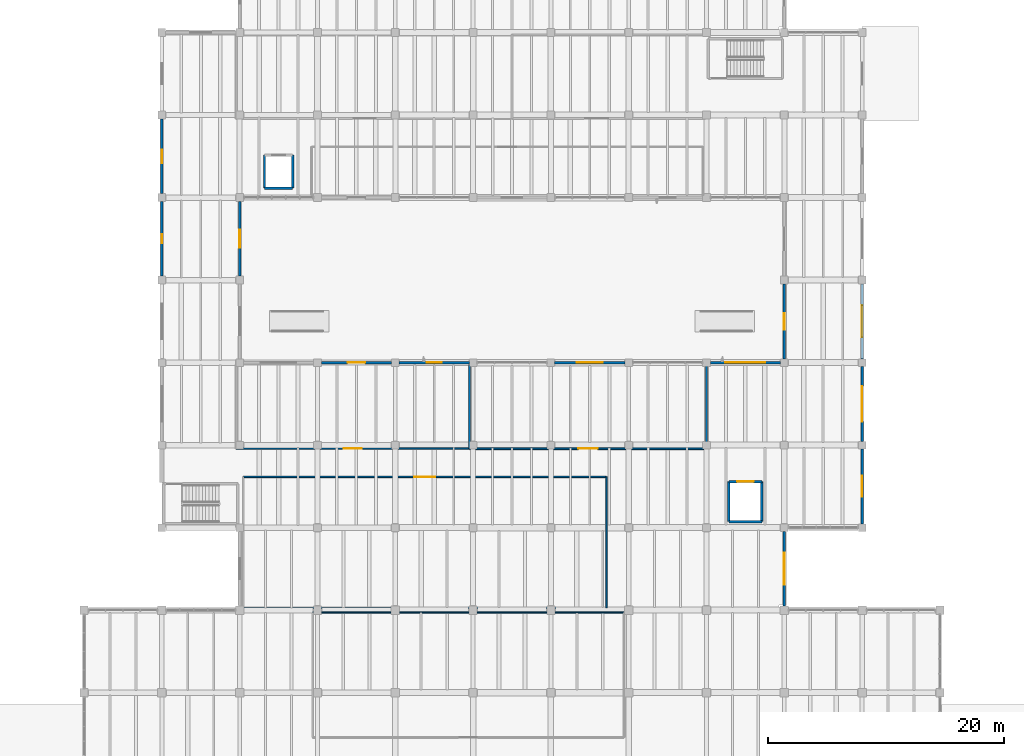
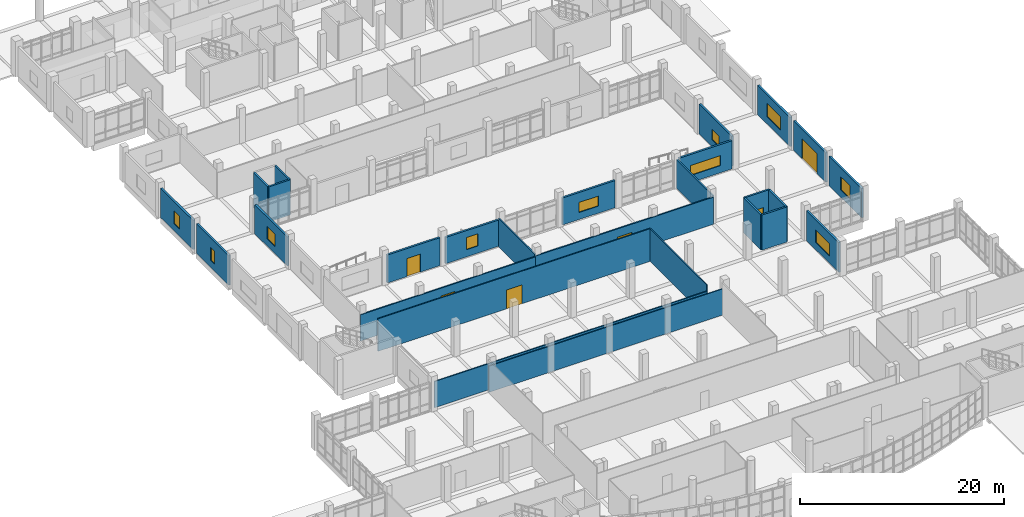
# One storey, part 47 of 69: 27 walls, 10 windows, 6 doors, 16 openings.
"""IFC4 building model written with IfcOpenShell, lengths in metres."""

from ifc_helpers import new_model, si_unit, direction, frame, frame_2d, origin, place, context, subcontext, project, spatial, rectangle, extrude, material, layer, layer_set, type_object, element, fill, save


model = new_model("IFC4")

# Units and contexts
model_context = context("Model", 3, precision=1e-05, world=origin(), true_north=direction((0.0, 1.0)))
body_context = subcontext(model_context, "Body", "Model", "MODEL_VIEW")
ifc_project = project(units=[si_unit("LENGTHUNIT", "METRE"), si_unit("AREAUNIT", "SQUARE_METRE"), si_unit("VOLUMEUNIT", "CUBIC_METRE"), si_unit("PLANEANGLEUNIT", "RADIAN"), si_unit("MASSUNIT", "GRAM", prefix="KILO")], contexts=[model_context])

# Site, building, storey
site_placement = place(None, origin())
site = spatial("IfcSite", under=ifc_project, at=site_placement, CompositionType="ELEMENT")
building_placement = place(site_placement, origin())
building = spatial("IfcBuilding", under=site, at=building_placement, Name="Ciguamira Faculty of Natural Sciences", CompositionType="ELEMENT")
storey_placement = place(building_placement, origin())
storey = spatial("IfcBuildingStorey", under=building, at=storey_placement, Name="L00", CompositionType="ELEMENT", Elevation=0.0)

# Wall, opening, door
ifc_material_1 = material(Name="Precast concrete C40/50", Category="concrete")
ifc_layer_1 = layer(ifc_material_1, 0.219970703125, Name="Precast concrete C40/50")
ifc_layer_set_1 = layer_set([ifc_layer_1], Name="Precast concrete C40/50")
wall_type_1 = type_object("IfcWallType", Name="ExtWall_EW-03_220", PredefinedType="SOLIDWALL", material=ifc_layer_set_1)
wall_1_placement = place(storey_placement, frame((70.824951171875, 59.0, 0.0), z_axis=(0.0, 0.0, 1.0), x_axis=(1.0, 0.0, 0.0)))
wall_1 = element("IfcWall", 1, at=wall_1_placement, inside=storey, type_object=wall_type_1, Name="L00 exterior wall 0091", PredefinedType="SOLIDWALL", context=body_context, shape_type="SweptSolid", body=[
    extrude(rectangle(XDim=5.949951171875, YDim=0.219970703125, at=frame_2d((2.97509765625, 0.0))), origin(), (0.0, 0.0, 1.0), 3.344970703125),
])
opening_1_placement = place(wall_1_placement, frame((2.22509765625, 0.0, 0.0)))
opening_1 = element("IfcOpeningElement", 2, at=opening_1_placement, cuts=wall_1, Name="Opening ED-09", PredefinedType="OPENING", context=body_context, shape_type="SweptSolid", body=[
    extrude(rectangle(XDim=1.5, YDim=2.14990234375, at=frame_2d((0.75, 1.074951171875))), frame((0.0, 0.119873046875, 0.0), z_axis=(0.0, -1.0, 0.0), x_axis=(1.0, 0.0, 0.0)), (0.0, 0.0, 1.0), 0.239990234375),
])
ifc_material_2 = material(Name="Court promenade entrance door")
door_type_1 = type_object("IfcDoorType", Name="ExtDoor_ED-09_1500x2150", OperationType="NOTDEFINED", PredefinedType="DOOR", material=ifc_material_2)
door_1_placement = place(opening_1_placement, origin())
door_1 = element("IfcDoor", 3, at=door_1_placement, inside=storey, type_object=door_type_1, Name="Karst Court South Concourse Exit ED-10", OperationType="DOUBLE_DOOR_SINGLE_SWING", OverallHeight=2.14990234375, OverallWidth=1.5, PredefinedType="DOOR", context=body_context, shape_type="SweptSolid", body=[
    extrude(rectangle(XDim=1.5, YDim=2.14990234375, at=frame_2d((0.75, 1.074951171875))), frame((0.0, 0.02490234375, 0.0), z_axis=(0.0, -1.0, 0.0), x_axis=(1.0, 0.0, 0.0)), (0.0, 0.0, 1.0), 0.050048828125),
])
fill(opening_1, door_1)

# Wall, opening, window
wall_2_placement = place(storey_placement, frame((77.425048828125, 59.0, 0.0), z_axis=(0.0, 0.0, 1.0), x_axis=(1.0, 0.0, 0.0)))
wall_2 = element("IfcWall", 4, at=wall_2_placement, inside=storey, type_object=wall_type_1, Name="L00 exterior wall 0092", PredefinedType="SOLIDWALL", context=body_context, shape_type="SweptSolid", body=[
    extrude(rectangle(XDim=5.949951171875, YDim=0.219970703125, at=frame_2d((2.97509765625, 0.0))), origin(), (0.0, 0.0, 1.0), 3.135009765625),
])
opening_2_placement = place(wall_2_placement, frame((2.324951171875, 0.0, 0.85009765625)))
opening_2 = element("IfcOpeningElement", 5, at=opening_2_placement, cuts=wall_2, Name="Opening WT-28", PredefinedType="OPENING", context=body_context, shape_type="SweptSolid", body=[
    extrude(rectangle(XDim=1.300048828125, YDim=1.449951171875, at=frame_2d((0.64990234375, 0.72509765625))), frame((0.0, 0.119873046875, 0.0), z_axis=(0.0, -1.0, 0.0), x_axis=(1.0, 0.0, 0.0)), (0.0, 0.0, 1.0), 0.239990234375),
])
ifc_material_3 = material(Name="Hurricane laminated solar glass", Category="glass")
window_type_1 = type_object("IfcWindowType", Name="Window_WT-28_1300x1450", PartitioningType="DOUBLE_PANEL_VERTICAL", PredefinedType="WINDOW", material=ifc_material_3)
window_1_placement = place(opening_2_placement, origin())
window_1 = element("IfcWindow", 6, at=window_1_placement, inside=storey, type_object=window_type_1, Name="L00 facade window 0018", OverallHeight=1.449951171875, OverallWidth=1.300048828125, PartitioningType="SINGLE_PANEL", PredefinedType="WINDOW", context=body_context, shape_type="SweptSolid", body=[
    extrude(rectangle(XDim=1.300048828125, YDim=1.449951171875, at=frame_2d((0.64990234375, 0.72509765625))), frame((0.0, 0.030029296875, 0.0), z_axis=(0.0, -1.0, 0.0), x_axis=(1.0, 0.0, 0.0)), (0.0, 0.0, 1.0), 0.06005859375),
])
fill(opening_2, window_1)

wall_3_placement = place(storey_placement, frame((90.625, 59.0, 0.0), z_axis=(0.0, 0.0, 1.0), x_axis=(1.0, 0.0, 0.0)))
wall_3 = element("IfcWall", 7, at=wall_3_placement, inside=storey, type_object=wall_type_1, Name="L00 exterior wall 0093", PredefinedType="SOLIDWALL", context=body_context, shape_type="SweptSolid", body=[
    extrude(rectangle(XDim=5.949951171875, YDim=0.219970703125, at=frame_2d((2.97509765625, 0.0))), origin(), (0.0, 0.0, 1.0), 3.235107421875),
])
opening_3_placement = place(wall_3_placement, frame((1.875, 0.0, 0.85009765625)))
opening_3 = element("IfcOpeningElement", 8, at=opening_3_placement, cuts=wall_3, Name="Opening WT-31", PredefinedType="OPENING", context=body_context, shape_type="SweptSolid", body=[
    extrude(rectangle(XDim=2.199951171875, YDim=1.199951171875, at=frame_2d((1.10009765625, 0.60009765625))), frame((0.0, 0.119873046875, 0.0), z_axis=(0.0, -1.0, 0.0), x_axis=(1.0, 0.0, 0.0)), (0.0, 0.0, 1.0), 0.239990234375),
])
window_type_2 = type_object("IfcWindowType", Name="Window_WT-31_2200x1200", PartitioningType="DOUBLE_PANEL_VERTICAL", PredefinedType="WINDOW", material=ifc_material_3)
window_2_placement = place(opening_3_placement, origin())
window_2 = element("IfcWindow", 9, at=window_2_placement, inside=storey, type_object=window_type_2, Name="L00 facade window 0019", OverallHeight=1.199951171875, OverallWidth=2.199951171875, PartitioningType="SINGLE_PANEL", PredefinedType="WINDOW", context=body_context, shape_type="SweptSolid", body=[
    extrude(rectangle(XDim=2.199951171875, YDim=1.199951171875, at=frame_2d((1.10009765625, 0.60009765625))), frame((0.0, 0.030029296875, 0.0), z_axis=(0.0, -1.0, 0.0), x_axis=(1.0, 0.0, 0.0)), (0.0, 0.0, 1.0), 0.06005859375),
])
fill(opening_3, window_2)

wall_4_placement = place(storey_placement, frame((103.824951171875, 59.0, 0.0), z_axis=(0.0, 0.0, 1.0), x_axis=(1.0, 0.0, 0.0)))
wall_4 = element("IfcWall", 10, at=wall_4_placement, inside=storey, type_object=wall_type_1, Name="L00 exterior wall 0094", PredefinedType="SOLIDWALL", context=body_context, shape_type="SweptSolid", body=[
    extrude(rectangle(XDim=5.949951171875, YDim=0.219970703125, at=frame_2d((2.97509765625, 0.0))), origin(), (0.0, 0.0, 1.0), 3.364990234375),
])
opening_4_placement = place(wall_4_placement, frame((1.27490234375, 0.0, 0.85009765625)))
opening_4 = element("IfcOpeningElement", 11, at=opening_4_placement, cuts=wall_4, Name="Opening WT-34", PredefinedType="OPENING", context=body_context, shape_type="SweptSolid", body=[
    extrude(rectangle(XDim=3.39990234375, YDim=1.199951171875, at=frame_2d((1.699951171875, 0.60009765625))), frame((0.0, 0.119873046875, 0.0), z_axis=(0.0, -1.0, 0.0), x_axis=(1.0, 0.0, 0.0)), (0.0, 0.0, 1.0), 0.239990234375),
])
window_type_3 = type_object("IfcWindowType", Name="Window_WT-34_3400x1200", PartitioningType="DOUBLE_PANEL_VERTICAL", PredefinedType="WINDOW", material=ifc_material_3)
window_3_placement = place(opening_4_placement, origin())
window_3 = element("IfcWindow", 12, at=window_3_placement, inside=storey, type_object=window_type_3, Name="L00 facade window 0020", OverallHeight=1.199951171875, OverallWidth=3.39990234375, PartitioningType="SINGLE_PANEL", PredefinedType="WINDOW", context=body_context, shape_type="SweptSolid", body=[
    extrude(rectangle(XDim=3.39990234375, YDim=1.199951171875, at=frame_2d((1.699951171875, 0.60009765625))), frame((0.0, 0.030029296875, 0.0), z_axis=(0.0, -1.0, 0.0), x_axis=(1.0, 0.0, 0.0)), (0.0, 0.0, 1.0), 0.06005859375),
])
fill(opening_4, window_3)

wall_5_placement = place(storey_placement, frame((57.300048828125, 66.324951171875, 0.0), z_axis=(0.0, 0.0, 1.0), x_axis=(0.0, 1.0, 0.0)))
wall_5 = element("IfcWall", 13, at=wall_5_placement, inside=storey, type_object=wall_type_1, Name="L00 exterior wall 0112", PredefinedType="SOLIDWALL", context=body_context, shape_type="SweptSolid", body=[
    extrude(rectangle(XDim=6.35009765625, YDim=0.219970703125, at=frame_2d((3.175048828125, 0.0))), origin(), (0.0, 0.0, 1.0), 3.5048828125),
])
opening_5_placement = place(wall_5_placement, frame((2.800048828125, 0.0, 0.85009765625)))
opening_5 = element("IfcOpeningElement", 14, at=opening_5_placement, cuts=wall_5, Name="Opening WT-35", PredefinedType="OPENING", context=body_context, shape_type="SweptSolid", body=[
    extrude(rectangle(XDim=0.75, YDim=1.550048828125, at=frame_2d((0.375, 0.77490234375))), frame((0.0, 0.119873046875, 0.0), z_axis=(0.0, -1.0, 0.0), x_axis=(1.0, 0.0, 0.0)), (0.0, 0.0, 1.0), 0.239990234375),
])
window_type_4 = type_object("IfcWindowType", Name="Window_WT-35_750x1550", PartitioningType="DOUBLE_PANEL_VERTICAL", PredefinedType="WINDOW", material=ifc_material_3)
window_4_placement = place(opening_5_placement, origin())
window_4 = element("IfcWindow", 15, at=window_4_placement, inside=storey, type_object=window_type_4, Name="L00 facade window 0031", OverallHeight=1.550048828125, OverallWidth=0.75, PartitioningType="SINGLE_PANEL", PredefinedType="WINDOW", context=body_context, shape_type="SweptSolid", body=[
    extrude(rectangle(XDim=0.75, YDim=1.550048828125, at=frame_2d((0.375, 0.77490234375))), frame((0.0, 0.030029296875, 0.0), z_axis=(0.0, -1.0, 0.0), x_axis=(1.0, 0.0, 0.0)), (0.0, 0.0, 1.0), 0.06005859375),
])
fill(opening_5, window_4)

wall_6_placement = place(storey_placement, frame((57.300048828125, 73.324951171875, 0.0), z_axis=(0.0, 0.0, 1.0), x_axis=(0.0, 1.0, 0.0)))
wall_6 = element("IfcWall", 16, at=wall_6_placement, inside=storey, type_object=wall_type_1, Name="L00 exterior wall 0113", PredefinedType="SOLIDWALL", context=body_context, shape_type="SweptSolid", body=[
    extrude(rectangle(XDim=6.35009765625, YDim=0.219970703125, at=frame_2d((3.175048828125, 0.0))), origin(), (0.0, 0.0, 1.0), 3.5048828125),
])
opening_6_placement = place(wall_6_placement, frame((2.60009765625, 0.0, 0.85009765625)))
opening_6 = element("IfcOpeningElement", 17, at=opening_6_placement, cuts=wall_6, Name="Opening WT-37", PredefinedType="OPENING", context=body_context, shape_type="SweptSolid", body=[
    extrude(rectangle(XDim=1.14990234375, YDim=1.550048828125, at=frame_2d((0.574951171875, 0.77490234375))), frame((0.0, 0.119873046875, 0.0), z_axis=(0.0, -1.0, 0.0), x_axis=(1.0, 0.0, 0.0)), (0.0, 0.0, 1.0), 0.239990234375),
])
window_type_5 = type_object("IfcWindowType", Name="Window_WT-37_1150x1550", PartitioningType="DOUBLE_PANEL_VERTICAL", PredefinedType="WINDOW", material=ifc_material_3)
window_5_placement = place(opening_6_placement, origin())
window_5 = element("IfcWindow", 18, at=window_5_placement, inside=storey, type_object=window_type_5, Name="L00 facade window 0032", OverallHeight=1.550048828125, OverallWidth=1.14990234375, PartitioningType="SINGLE_PANEL", PredefinedType="WINDOW", context=body_context, shape_type="SweptSolid", body=[
    extrude(rectangle(XDim=1.14990234375, YDim=1.550048828125, at=frame_2d((0.574951171875, 0.77490234375))), frame((0.0, 0.030029296875, 0.0), z_axis=(0.0, -1.0, 0.0), x_axis=(1.0, 0.0, 0.0)), (0.0, 0.0, 1.0), 0.06005859375),
])
fill(opening_6, window_5)

wall_7_placement = place(storey_placement, frame((63.89990234375, 66.324951171875, 0.0), z_axis=(0.0, 0.0, 1.0), x_axis=(0.0, 1.0, 0.0)))
wall_7 = element("IfcWall", 19, at=wall_7_placement, inside=storey, type_object=wall_type_1, Name="L00 exterior wall 0119", PredefinedType="SOLIDWALL", context=body_context, shape_type="SweptSolid", body=[
    extrude(rectangle(XDim=6.35009765625, YDim=0.219970703125, at=frame_2d((3.175048828125, 0.0))), origin(), (0.0, 0.0, 1.0), 3.465087890625),
])
opening_7_placement = place(wall_7_placement, frame((2.425048828125, 0.0, 0.85009765625)))
opening_7 = element("IfcOpeningElement", 20, at=opening_7_placement, cuts=wall_7, Name="Opening WT-09", PredefinedType="OPENING", context=body_context, shape_type="SweptSolid", body=[
    extrude(rectangle(XDim=1.5, YDim=1.5, at=frame_2d((0.75, 0.75))), frame((0.0, 0.119873046875, 0.0), z_axis=(0.0, -1.0, 0.0), x_axis=(1.0, 0.0, 0.0)), (0.0, 0.0, 1.0), 0.239990234375),
])
window_type_6 = type_object("IfcWindowType", Name="Window_WT-09_1500x1500", PartitioningType="DOUBLE_PANEL_VERTICAL", PredefinedType="WINDOW", material=ifc_material_3)
window_6_placement = place(opening_7_placement, origin())
window_6 = element("IfcWindow", 21, at=window_6_placement, inside=storey, type_object=window_type_6, Name="L00 facade window 0038", OverallHeight=1.5, OverallWidth=1.5, PartitioningType="SINGLE_PANEL", PredefinedType="WINDOW", context=body_context, shape_type="SweptSolid", body=[
    extrude(rectangle(XDim=1.5, YDim=1.5, at=frame_2d((0.75, 0.75))), frame((0.0, 0.030029296875, 0.0), z_axis=(0.0, -1.0, 0.0), x_axis=(1.0, 0.0, 0.0)), (0.0, 0.0, 1.0), 0.06005859375),
])
fill(opening_7, window_6)

wall_8_placement = place(storey_placement, frame((110.10009765625, 38.35009765625, 0.0), z_axis=(0.0, 0.0, 1.0), x_axis=(0.0, 1.0, 0.0)))
wall_8 = element("IfcWall", 22, at=wall_8_placement, inside=storey, type_object=wall_type_1, Name="L00 exterior wall 0121", PredefinedType="SOLIDWALL", context=body_context, shape_type="SweptSolid", body=[
    extrude(rectangle(XDim=6.324951171875, YDim=0.219970703125, at=frame_2d((3.16259765625, 0.0))), origin(), (0.0, 0.0, 1.0), 3.56494140625),
])
opening_8_placement = place(wall_8_placement, frame((1.8125, 0.0, 0.85009765625)))
opening_8 = element("IfcOpeningElement", 23, at=opening_8_placement, cuts=wall_8, Name="Opening WT-13", PredefinedType="OPENING", context=body_context, shape_type="SweptSolid", body=[
    extrude(rectangle(XDim=2.699951171875, YDim=1.5, at=frame_2d((1.35009765625, 0.75))), frame((0.0, 0.119873046875, 0.0), z_axis=(0.0, -1.0, 0.0), x_axis=(1.0, 0.0, 0.0)), (0.0, 0.0, 1.0), 0.239990234375),
])
window_type_7 = type_object("IfcWindowType", Name="Window_WT-13_2700x1500", PartitioningType="DOUBLE_PANEL_VERTICAL", PredefinedType="WINDOW", material=ifc_material_3)
window_7_placement = place(opening_8_placement, origin())
window_7 = element("IfcWindow", 24, at=window_7_placement, inside=storey, type_object=window_type_7, Name="L00 facade window 0040", OverallHeight=1.5, OverallWidth=2.699951171875, PartitioningType="SINGLE_PANEL", PredefinedType="WINDOW", context=body_context, shape_type="SweptSolid", body=[
    extrude(rectangle(XDim=2.699951171875, YDim=1.5, at=frame_2d((1.35009765625, 0.75))), frame((0.0, 0.030029296875, 0.0), z_axis=(0.0, -1.0, 0.0), x_axis=(1.0, 0.0, 0.0)), (0.0, 0.0, 1.0), 0.06005859375),
])
fill(opening_8, window_7)

wall_9_placement = place(storey_placement, frame((110.10009765625, 59.324951171875, 0.0), z_axis=(0.0, 0.0, 1.0), x_axis=(0.0, 1.0, 0.0)))
wall_9 = element("IfcWall", 25, at=wall_9_placement, inside=storey, type_object=wall_type_1, Name="L00 exterior wall 0122", PredefinedType="SOLIDWALL", context=body_context, shape_type="SweptSolid", body=[
    extrude(rectangle(XDim=6.35009765625, YDim=0.219970703125, at=frame_2d((3.175048828125, 0.0))), origin(), (0.0, 0.0, 1.0), 3.56494140625),
])
opening_9_placement = place(wall_9_placement, frame((2.47509765625, 0.0, 0.85009765625)))
opening_9 = element("IfcOpeningElement", 26, at=opening_9_placement, cuts=wall_9, Name="Opening WT-15", PredefinedType="OPENING", context=body_context, shape_type="SweptSolid", body=[
    extrude(rectangle(XDim=1.39990234375, YDim=1.25, at=frame_2d((0.699951171875, 0.625))), frame((0.0, 0.119873046875, 0.0), z_axis=(0.0, -1.0, 0.0), x_axis=(1.0, 0.0, 0.0)), (0.0, 0.0, 1.0), 0.239990234375),
])
window_type_8 = type_object("IfcWindowType", Name="Window_WT-15_1400x1250", PartitioningType="DOUBLE_PANEL_VERTICAL", PredefinedType="WINDOW", material=ifc_material_3)
window_8_placement = place(opening_9_placement, origin())
window_8 = element("IfcWindow", 27, at=window_8_placement, inside=storey, type_object=window_type_8, Name="L00 facade window 0041", OverallHeight=1.25, OverallWidth=1.39990234375, PartitioningType="SINGLE_PANEL", PredefinedType="WINDOW", context=body_context, shape_type="SweptSolid", body=[
    extrude(rectangle(XDim=1.39990234375, YDim=1.25, at=frame_2d((0.699951171875, 0.625))), frame((0.0, 0.030029296875, 0.0), z_axis=(0.0, -1.0, 0.0), x_axis=(1.0, 0.0, 0.0)), (0.0, 0.0, 1.0), 0.06005859375),
])
fill(opening_9, window_8)

wall_10_placement = place(storey_placement, frame((116.699951171875, 45.324951171875, 0.0), z_axis=(0.0, 0.0, 1.0), x_axis=(0.0, 1.0, 0.0)))
wall_10 = element("IfcWall", 28, at=wall_10_placement, inside=storey, type_object=wall_type_1, Name="L00 exterior wall 0125", PredefinedType="SOLIDWALL", context=body_context, shape_type="SweptSolid", body=[
    extrude(rectangle(XDim=6.35009765625, YDim=0.219970703125, at=frame_2d((3.175048828125, 0.0))), origin(), (0.0, 0.0, 1.0), 3.5048828125),
])
opening_10_placement = place(wall_10_placement, frame((2.27490234375, 0.0, 0.85009765625)))
opening_10 = element("IfcOpeningElement", 29, at=opening_10_placement, cuts=wall_10, Name="Opening WT-21", PredefinedType="OPENING", context=body_context, shape_type="SweptSolid", body=[
    extrude(rectangle(XDim=1.800048828125, YDim=1.60009765625, at=frame_2d((0.89990234375, 0.800048828125))), frame((0.0, 0.119873046875, 0.0), z_axis=(0.0, -1.0, 0.0), x_axis=(1.0, 0.0, 0.0)), (0.0, 0.0, 1.0), 0.239990234375),
])
window_type_9 = type_object("IfcWindowType", Name="Window_WT-21_1800x1600", PartitioningType="DOUBLE_PANEL_VERTICAL", PredefinedType="WINDOW", material=ifc_material_3)
window_9_placement = place(opening_10_placement, origin())
window_9 = element("IfcWindow", 30, at=window_9_placement, inside=storey, type_object=window_type_9, Name="L00 facade window 0044", OverallHeight=1.60009765625, OverallWidth=1.800048828125, PartitioningType="SINGLE_PANEL", PredefinedType="WINDOW", context=body_context, shape_type="SweptSolid", body=[
    extrude(rectangle(XDim=1.800048828125, YDim=1.60009765625, at=frame_2d((0.89990234375, 0.800048828125))), frame((0.0, 0.030029296875, 0.0), z_axis=(0.0, -1.0, 0.0), x_axis=(1.0, 0.0, 0.0)), (0.0, 0.0, 1.0), 0.06005859375),
])
fill(opening_10, window_9)

# Wall, opening, door
wall_11_placement = place(storey_placement, frame((116.699951171875, 52.324951171875, 0.0), z_axis=(0.0, 0.0, 1.0), x_axis=(0.0, 1.0, 0.0)))
wall_11 = element("IfcWall", 31, at=wall_11_placement, inside=storey, type_object=wall_type_1, Name="L00 exterior wall 0126", PredefinedType="SOLIDWALL", context=body_context, shape_type="SweptSolid", body=[
    extrude(rectangle(XDim=6.35009765625, YDim=0.219970703125, at=frame_2d((3.175048828125, 0.0))), origin(), (0.0, 0.0, 1.0), 3.5048828125),
])
opening_11_placement = place(wall_11_placement, frame((1.675048828125, 0.0, 0.0)))
opening_11 = element("IfcOpeningElement", 32, at=opening_11_placement, cuts=wall_11, Name="Opening GD-01", PredefinedType="OPENING", context=body_context, shape_type="SweptSolid", body=[
    extrude(rectangle(XDim=3.0, YDim=2.39990234375, at=frame_2d((1.5, 1.199951171875))), frame((0.0, 0.119873046875, 0.0), z_axis=(0.0, -1.0, 0.0), x_axis=(1.0, 0.0, 0.0)), (0.0, 0.0, 1.0), 0.239990234375),
])
ifc_material_4 = material(Name="Galvanized steel service bay gate", Category="steel")
door_type_2 = type_object("IfcDoorType", Name="ExtDoor_GD-01_3000x2400", OperationType="NOTDEFINED", PredefinedType="GATE", material=ifc_material_4)
door_2_placement = place(opening_11_placement, frame((3.0, 0.0, 0.0), z_axis=(0.0, 0.0, 1.0), x_axis=(-1.0, 0.0, 0.0)))
door_2 = element("IfcDoor", 33, at=door_2_placement, inside=storey, type_object=door_type_2, Name="Marine Specimen Delivery Gate GD-05", OperationType="DOUBLE_DOOR_SINGLE_SWING", OverallHeight=2.39990234375, OverallWidth=3.0, PredefinedType="GATE", context=body_context, shape_type="SweptSolid", body=[
    extrude(rectangle(XDim=3.0, YDim=2.39990234375, at=frame_2d((1.5, 1.199951171875))), frame((0.0, 0.02490234375, 0.0), z_axis=(0.0, -1.0, 0.0), x_axis=(1.0, 0.0, 0.0)), (0.0, 0.0, 1.0), 0.050048828125),
])
fill(opening_11, door_2)

# Wall, opening, window
wall_12_placement = place(storey_placement, frame((116.699951171875, 59.324951171875, 0.0), z_axis=(0.0, 0.0, 1.0), x_axis=(0.0, 1.0, 0.0)))
wall_12 = element("IfcWall", 34, at=wall_12_placement, inside=storey, type_object=wall_type_1, Name="L00 exterior wall 0127", PredefinedType="SOLIDWALL", context=body_context, shape_type="SweptSolid", body=[
    extrude(rectangle(XDim=6.35009765625, YDim=0.219970703125, at=frame_2d((3.175048828125, 0.0))), origin(), (0.0, 0.0, 1.0), 3.5048828125),
])
opening_12_placement = place(wall_12_placement, frame((1.824951171875, 0.0, 0.85009765625)))
opening_12 = element("IfcOpeningElement", 35, at=opening_12_placement, cuts=wall_12, Name="Opening WT-24", PredefinedType="OPENING", context=body_context, shape_type="SweptSolid", body=[
    extrude(rectangle(XDim=2.699951171875, YDim=1.60009765625, at=frame_2d((1.35009765625, 0.800048828125))), frame((0.0, 0.119873046875, 0.0), z_axis=(0.0, -1.0, 0.0), x_axis=(1.0, 0.0, 0.0)), (0.0, 0.0, 1.0), 0.239990234375),
])
window_type_10 = type_object("IfcWindowType", Name="Window_WT-24_2700x1600", PartitioningType="DOUBLE_PANEL_VERTICAL", PredefinedType="WINDOW", material=ifc_material_3)
window_10_placement = place(opening_12_placement, origin())
window_10 = element("IfcWindow", 36, at=window_10_placement, inside=storey, type_object=window_type_10, Name="L00 facade window 0045", OverallHeight=1.60009765625, OverallWidth=2.699951171875, PartitioningType="SINGLE_PANEL", PredefinedType="WINDOW", context=body_context, shape_type="SweptSolid", body=[
    extrude(rectangle(XDim=2.699951171875, YDim=1.60009765625, at=frame_2d((1.35009765625, 0.800048828125))), frame((0.0, 0.030029296875, 0.0), z_axis=(0.0, -1.0, 0.0), x_axis=(1.0, 0.0, 0.0)), (0.0, 0.0, 1.0), 0.06005859375),
])
fill(opening_12, window_10)

# Walls
ifc_material_5 = material(Name="Concrete C40/50", Category="concrete")
ifc_layer_2 = layer(ifc_material_5, 0.199951171875, Name="Concrete C40/50")
ifc_layer_set_2 = layer_set([ifc_layer_2], Name="Concrete C40/50")
wall_type_2 = type_object("IfcWallType", Name="IntWall_CW-S20_200", PredefinedType="SHEAR", material=ifc_layer_set_2)
wall_13_placement = place(storey_placement, frame((66.0, 73.800048828125, 0.0), z_axis=(0.0, 0.0, 1.0), x_axis=(1.0, 0.0, 0.0)))
element("IfcWall", 37, at=wall_13_placement, inside=storey, type_object=wall_type_2, Name="L00 EL-P4 hoistway wall south", PredefinedType="SHEAR", context=body_context, shape_type="SweptSolid", body=[
    extrude(rectangle(XDim=2.39990234375, YDim=0.199951171875, at=frame_2d((1.199951171875, 0.0))), origin(), (0.0, 0.0, 1.0), 4.199951171875),
])
for number, where, z_axis, x_axis, name in (
    (38, (66.0, 73.800048828125, 0.0), (0.0, 0.0, 1.0), (0.0, 1.0, 0.0), "L00 EL-P4 hoistway wall west"),
    (39, (68.39990234375, 73.800048828125, 0.0), (0.0, 0.0, 1.0), (0.0, 1.0, 0.0), "L00 EL-P4 hoistway wall east"),
    (40, (105.39990234375, 45.5, 0.0), (0.0, 0.0, 1.0), (1.0, 0.0, 0.0), "L00 EL-G1 hoistway wall south"),
):
    element("IfcWall", number, at=place(storey_placement, frame(where, z_axis=z_axis, x_axis=x_axis)), inside=storey, type_object=wall_type_2, Name=name, PredefinedType="SHEAR", context=body_context, shape_type="SweptSolid", body=[
        extrude(rectangle(XDim=2.800048828125, YDim=0.199951171875, at=frame_2d((1.39990234375, 0.0))), origin(), (0.0, 0.0, 1.0), 4.199951171875),
    ])

# Wall, opening, door
wall_14_placement = place(storey_placement, frame((105.39990234375, 48.89990234375, 0.0), z_axis=(0.0, 0.0, 1.0), x_axis=(1.0, 0.0, 0.0)))
wall_14 = element("IfcWall", 41, at=wall_14_placement, inside=storey, type_object=wall_type_2, Name="L00 EL-G1 hoistway wall north", PredefinedType="SHEAR", context=body_context, shape_type="SweptSolid", body=[
    extrude(rectangle(XDim=2.800048828125, YDim=0.199951171875, at=frame_2d((1.39990234375, 0.0))), origin(), (0.0, 0.0, 1.0), 4.199951171875),
])
opening_13_placement = place(wall_14_placement, frame((0.699951171875, 0.0, 0.0)))
opening_13 = element("IfcOpeningElement", 42, at=opening_13_placement, cuts=wall_14, Name="Opening LD-04", PredefinedType="OPENING", context=body_context, shape_type="SweptSolid", body=[
    extrude(rectangle(XDim=1.39990234375, YDim=2.300048828125, at=frame_2d((0.699951171875, 1.14990234375))), frame((0.0, 0.10986328125, 0.0), z_axis=(0.0, -1.0, 0.0), x_axis=(1.0, 0.0, 0.0)), (0.0, 0.0, 1.0), 0.219970703125),
])
ifc_material_6 = material(Name="Specimen service lift sliding landing door")
door_type_3 = type_object("IfcDoorType", Name="LiftLandingDoor_LD-04_1400x2300", OperationType="SLIDING_TO_LEFT", PredefinedType="DOOR", material=ifc_material_6)
door_3_placement = place(opening_13_placement, origin())
door_3 = element("IfcDoor", 43, at=door_3_placement, inside=storey, type_object=door_type_3, Name="L00 EL-G1 elevator landing sliding door", OperationType="SLIDING_TO_LEFT", OverallHeight=2.300048828125, OverallWidth=1.39990234375, PredefinedType="DOOR", context=body_context, shape_type="SweptSolid", body=[
    extrude(rectangle(XDim=1.39990234375, YDim=2.300048828125, at=frame_2d((0.699951171875, 1.14990234375))), frame((0.0, 0.02490234375, 0.0), z_axis=(0.0, -1.0, 0.0), x_axis=(1.0, 0.0, 0.0)), (0.0, 0.0, 1.0), 0.050048828125),
])
fill(opening_13, door_3)

# Walls
for number, where, z_axis, x_axis, name in (
    (44, (105.39990234375, 45.5, 0.0), (0.0, 0.0, 1.0), (0.0, 1.0, 0.0), "L00 EL-G1 hoistway wall west"),
    (45, (108.199951171875, 45.5, 0.0), (0.0, 0.0, 1.0), (0.0, 1.0, 0.0), "L00 EL-G1 hoistway wall east"),
):
    element("IfcWall", number, at=place(storey_placement, frame(where, z_axis=z_axis, x_axis=x_axis)), inside=storey, type_object=wall_type_2, Name=name, PredefinedType="SHEAR", context=body_context, shape_type="SweptSolid", body=[
        extrude(rectangle(XDim=3.39990234375, YDim=0.199951171875, at=frame_2d((1.699951171875, 0.0))), origin(), (0.0, 0.0, 1.0), 4.199951171875),
    ])
ifc_material_7 = material(Name="Fire-rated gypsum partition")
ifc_layer_3 = layer(ifc_material_7, 0.10009765625, Name="Fire-rated gypsum partition")
ifc_layer_set_3 = layer_set([ifc_layer_3], Name="Fire-rated gypsum partition")
wall_type_3 = type_object("IfcWallType", Name="IntWall_IW-A10_100", PredefinedType="PARTITIONING", material=ifc_layer_set_3)
wall_15_placement = place(storey_placement, frame((70.10009765625, 37.800048828125, 0.0), z_axis=(0.0, 0.0, 1.0), x_axis=(1.0, 0.0, 0.0)))
element("IfcWall", 46, at=wall_15_placement, inside=storey, type_object=wall_type_3, Name="L00 Faculty Admissions and Student Services partition north", PredefinedType="PARTITIONING", context=body_context, shape_type="SweptSolid", body=[
    extrude(rectangle(XDim=26.39990234375, YDim=0.10009765625, at=frame_2d((13.199951171875, 0.0))), origin(), (0.0, 0.0, 1.0), 3.135009765625),
])
ifc_material_8 = material(Name="Acoustic double-stud gypsum partition")
ifc_layer_4 = layer(ifc_material_8, 0.1201171875, Name="Acoustic double-stud gypsum partition")
ifc_layer_set_4 = layer_set([ifc_layer_4], Name="Acoustic double-stud gypsum partition")
wall_type_4 = type_object("IfcWallType", Name="IntWall_IW-A12_120", PredefinedType="PARTITIONING", material=ifc_layer_set_4)
wall_16_placement = place(storey_placement, frame((64.199951171875, 38.199951171875, 0.0), z_axis=(0.0, 0.0, 1.0), x_axis=(1.0, 0.0, 0.0)))
element("IfcWall", 47, at=wall_16_placement, inside=storey, type_object=wall_type_4, Name="L00 L00 South Lab Seminar Room partition south", PredefinedType="PARTITIONING", context=body_context, shape_type="SweptSolid", body=[
    extrude(rectangle(XDim=30.800048828125, YDim=0.1201171875, at=frame_2d((15.39990234375, 0.0))), origin(), (0.0, 0.0, 1.0), 3.135009765625),
])

# Wall, opening, door
wall_17_placement = place(storey_placement, frame((64.199951171875, 49.300048828125, 0.0), z_axis=(0.0, 0.0, 1.0), x_axis=(1.0, 0.0, 0.0)))
wall_17 = element("IfcWall", 48, at=wall_17_placement, inside=storey, type_object=wall_type_4, Name="L00 L00 South Lab Seminar Room partition north", PredefinedType="PARTITIONING", context=body_context, shape_type="SweptSolid", body=[
    extrude(rectangle(XDim=30.800048828125, YDim=0.1201171875, at=frame_2d((15.39990234375, 0.0))), origin(), (0.0, 0.0, 1.0), 3.89990234375),
])
opening_14_placement = place(wall_17_placement, frame((14.52490234375, 0.0, 0.0)))
opening_14 = element("IfcOpeningElement", 49, at=opening_14_placement, cuts=wall_17, Name="Opening ID-11", PredefinedType="OPENING", context=body_context, shape_type="SweptSolid", body=[
    extrude(rectangle(XDim=1.75, YDim=2.25, at=frame_2d((0.875, 1.125))), frame((0.0, 0.070068359375, 0.0), z_axis=(0.0, -1.0, 0.0), x_axis=(1.0, 0.0, 0.0)), (0.0, 0.0, 1.0), 0.14013671875),
])
ifc_material_9 = material(Name="Exhibition gallery double door")
door_type_4 = type_object("IfcDoorType", Name="IntDoor_ID-11_1750x2250", OperationType="NOTDEFINED", PredefinedType="DOOR", material=ifc_material_9)
door_4_placement = place(opening_14_placement, frame((1.75, 0.0, 0.0), z_axis=(0.0, 0.0, 1.0), x_axis=(-1.0, 0.0, 0.0)))
door_4 = element("IfcDoor", 50, at=door_4_placement, inside=storey, type_object=door_type_4, Name="L00 L00 South Lab Seminar Room door", OperationType="SINGLE_SWING_RIGHT", OverallHeight=2.25, OverallWidth=1.75, PredefinedType="DOOR", context=body_context, shape_type="SweptSolid", body=[
    extrude(rectangle(XDim=1.75, YDim=2.25, at=frame_2d((0.875, 1.125))), frame((0.0, 0.02490234375, 0.0), z_axis=(0.0, -1.0, 0.0), x_axis=(1.0, 0.0, 0.0)), (0.0, 0.0, 1.0), 0.050048828125),
])
fill(opening_14, door_4)

# Wall
wall_18_placement = place(storey_placement, frame((95.0, 38.199951171875, 0.0), z_axis=(0.0, 0.0, 1.0), x_axis=(0.0, 1.0, 0.0)))
element("IfcWall", 51, at=wall_18_placement, inside=storey, type_object=wall_type_4, Name="L00 L00 South Lab Seminar Room partition east", PredefinedType="PARTITIONING", context=body_context, shape_type="SweptSolid", body=[
    extrude(rectangle(XDim=11.10009765625, YDim=0.1201171875, at=frame_2d((5.550048828125, 0.0))), origin(), (0.0, 0.0, 1.0), 3.89990234375),
])

# Wall, opening, door
ifc_material_10 = material(Name="Acoustic laboratory corridor partition")
ifc_layer_5 = layer(ifc_material_10, 0.14990234375, Name="Acoustic laboratory corridor partition")
ifc_layer_set_5 = layer_set([ifc_layer_5], Name="Acoustic laboratory corridor partition")
wall_type_5 = type_object("IfcWallType", Name="IntWall_IW-G15_150", PredefinedType="PARTITIONING", material=ifc_layer_set_5)
wall_19_placement = place(storey_placement, frame((83.39990234375, 51.699951171875, 0.0), z_axis=(0.0, 0.0, 1.0), x_axis=(1.0, 0.0, 0.0)))
wall_19 = element("IfcWall", 52, at=wall_19_placement, inside=storey, type_object=wall_type_5, Name="L00 Introductory Biology Teaching Laboratory partition south", PredefinedType="PARTITIONING", context=body_context, shape_type="SweptSolid", body=[
    extrude(rectangle(XDim=20.10009765625, YDim=0.14990234375, at=frame_2d((10.050048828125, 0.0))), origin(), (0.0, 0.0, 1.0), 3.235107421875),
])
opening_15_placement = place(wall_19_placement, frame((9.22509765625, 0.0, 0.0)))
opening_15 = element("IfcOpeningElement", 53, at=opening_15_placement, cuts=wall_19, Name="Opening ID-10", PredefinedType="OPENING", context=body_context, shape_type="SweptSolid", body=[
    extrude(rectangle(XDim=1.64990234375, YDim=2.25, at=frame_2d((0.824951171875, 1.125))), frame((0.0, 0.0849609375, 0.0), z_axis=(0.0, -1.0, 0.0), x_axis=(1.0, 0.0, 0.0)), (0.0, 0.0, 1.0), 0.169921875),
])
ifc_material_11 = material(Name="Reading hall double acoustic door")
door_type_5 = type_object("IfcDoorType", Name="IntDoor_ID-10_1650x2250", OperationType="NOTDEFINED", PredefinedType="DOOR", material=ifc_material_11)
door_5_placement = place(opening_15_placement, origin())
door_5 = element("IfcDoor", 54, at=door_5_placement, inside=storey, type_object=door_type_5, Name="L00 Introductory Biology Teaching Laboratory door", OperationType="SINGLE_SWING_LEFT", OverallHeight=2.25, OverallWidth=1.64990234375, PredefinedType="DOOR", context=body_context, shape_type="SweptSolid", body=[
    extrude(rectangle(XDim=1.64990234375, YDim=2.25, at=frame_2d((0.824951171875, 1.125))), frame((0.0, 0.02490234375, 0.0), z_axis=(0.0, -1.0, 0.0), x_axis=(1.0, 0.0, 0.0)), (0.0, 0.0, 1.0), 0.050048828125),
])
fill(opening_15, door_5)

# Wall
wall_20_placement = place(storey_placement, frame((103.5, 51.699951171875, 0.0), z_axis=(0.0, 0.0, 1.0), x_axis=(0.0, 1.0, 0.0)))
element("IfcWall", 55, at=wall_20_placement, inside=storey, type_object=wall_type_5, Name="L00 Introductory Biology Teaching Laboratory partition east", PredefinedType="PARTITIONING", context=body_context, shape_type="SweptSolid", body=[
    extrude(rectangle(XDim=7.10009765625, YDim=0.14990234375, at=frame_2d((3.550048828125, 0.0))), origin(), (0.0, 0.0, 1.0), 3.425048828125),
])

# Wall, opening, door
ifc_material_12 = material(Name="Moisture-resistant service chase wall")
ifc_layer_6 = layer(ifc_material_12, 0.139892578125, Name="Moisture-resistant service chase wall")
ifc_layer_set_6 = layer_set([ifc_layer_6], Name="Moisture-resistant service chase wall")
wall_type_6 = type_object("IfcWallType", Name="IntWall_IW-P14_140", PredefinedType="PLUMBINGWALL", material=ifc_layer_set_6)
wall_21_placement = place(storey_placement, frame((63.60009765625, 51.699951171875, 0.0), z_axis=(0.0, 0.0, 1.0), x_axis=(1.0, 0.0, 0.0)))
wall_21 = element("IfcWall", 56, at=wall_21_placement, inside=storey, type_object=wall_type_6, Name="L00 General Chemistry Teaching Laboratory partition south", PredefinedType="PLUMBINGWALL", context=body_context, shape_type="SweptSolid", body=[
    extrude(rectangle(XDim=19.7998046875, YDim=0.139892578125, at=frame_2d((9.89990234375, 0.0))), origin(), (0.0, 0.0, 1.0), 3.135009765625),
])
opening_16_placement = place(wall_21_placement, frame((9.125, 0.0, 0.0)))
opening_16 = element("IfcOpeningElement", 57, at=opening_16_placement, cuts=wall_21, Name="Opening ID-09", PredefinedType="OPENING", context=body_context, shape_type="SweptSolid", body=[
    extrude(rectangle(XDim=1.550048828125, YDim=2.199951171875, at=frame_2d((0.77490234375, 1.10009765625))), frame((0.0, 0.079833984375, 0.0), z_axis=(0.0, -1.0, 0.0), x_axis=(1.0, 0.0, 0.0)), (0.0, 0.0, 1.0), 0.159912109375),
])
ifc_material_13 = material(Name="Teaching laboratory double door")
door_type_6 = type_object("IfcDoorType", Name="IntDoor_ID-09_1550x2200", OperationType="NOTDEFINED", PredefinedType="DOOR", material=ifc_material_13)
door_6_placement = place(opening_16_placement, origin())
door_6 = element("IfcDoor", 58, at=door_6_placement, inside=storey, type_object=door_type_6, Name="L00 General Chemistry Teaching Laboratory door", OperationType="SINGLE_SWING_RIGHT", OverallHeight=2.199951171875, OverallWidth=1.550048828125, PredefinedType="DOOR", context=body_context, shape_type="SweptSolid", body=[
    extrude(rectangle(XDim=1.550048828125, YDim=2.199951171875, at=frame_2d((0.77490234375, 1.10009765625))), frame((0.0, 0.02490234375, 0.0), z_axis=(0.0, -1.0, 0.0), x_axis=(1.0, 0.0, 0.0)), (0.0, 0.0, 1.0), 0.050048828125),
])
fill(opening_16, door_6)

# Wall
wall_22_placement = place(storey_placement, frame((83.39990234375, 51.699951171875, 0.0), z_axis=(0.0, 0.0, 1.0), x_axis=(0.0, 1.0, 0.0)))
element("IfcWall", 59, at=wall_22_placement, inside=storey, type_object=wall_type_6, Name="L00 General Chemistry Teaching Laboratory partition east", PredefinedType="PLUMBINGWALL", context=body_context, shape_type="SweptSolid", body=[
    extrude(rectangle(XDim=7.10009765625, YDim=0.139892578125, at=frame_2d((3.550048828125, 0.0))), origin(), (0.0, 0.0, 1.0), 3.425048828125),
])

save(model, "model.ifc")
